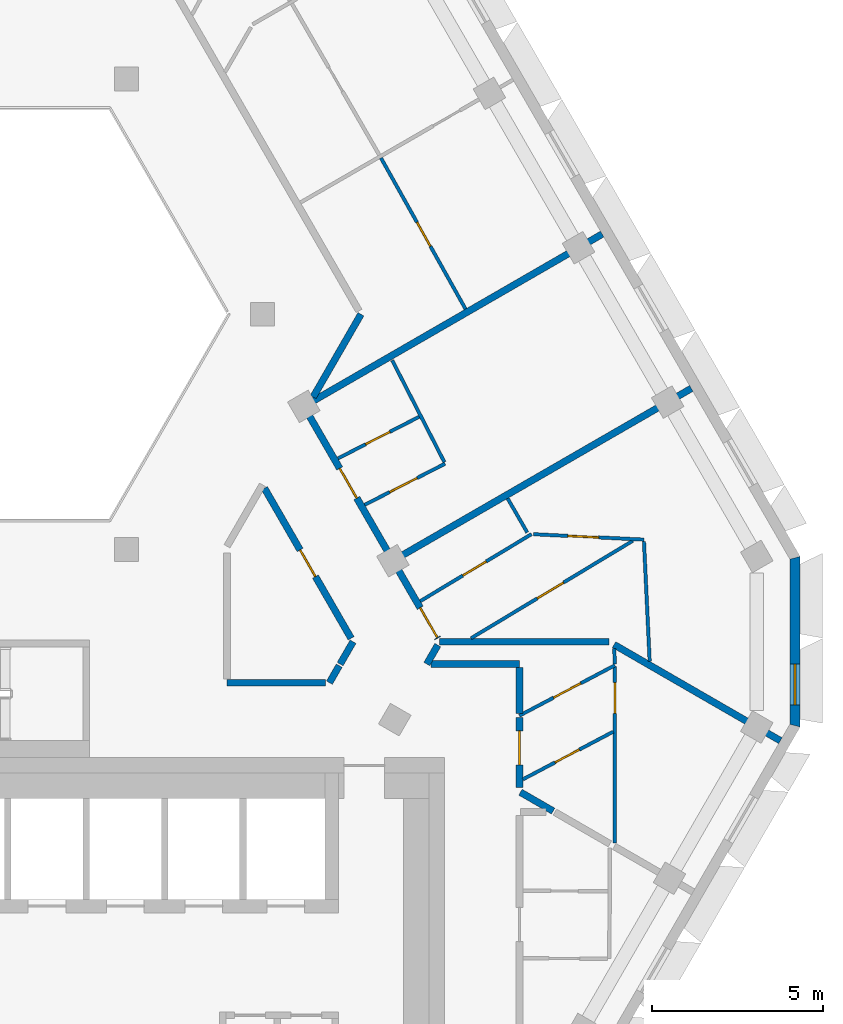
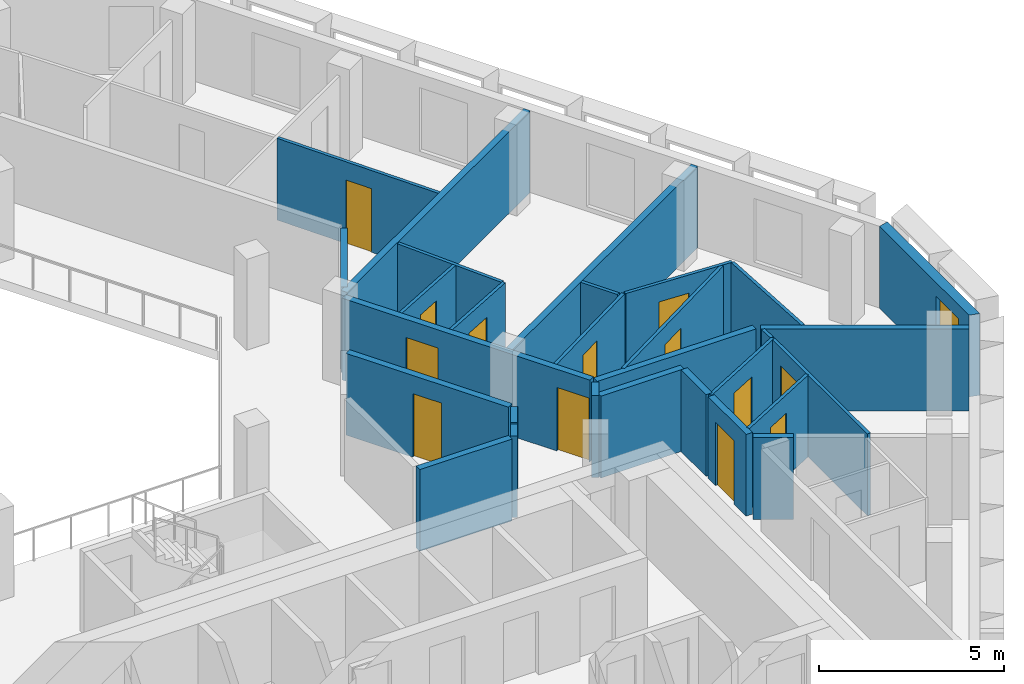
# One storey, part 6 of 15: 29 walls, 13 doors, 1 window, 14 openings.
"""IFC4 building model written with IfcOpenShell, lengths in metres."""

from ifc_helpers import new_model, si_unit, direction, frame, frame_2d, origin, place, context, subcontext, project, spatial, polyline, rectangle, outline, extrude, material, layer, layer_set, type_object, element, fill, save


model = new_model("IFC4")

# Units and contexts
model_context = context("Model", 3, precision=1e-05, world=origin(), true_north=direction((0.0, 1.0)))
body_context = subcontext(model_context, "Body", "Model", "MODEL_VIEW")
ifc_project = project(units=[si_unit("LENGTHUNIT", "METRE"), si_unit("AREAUNIT", "SQUARE_METRE"), si_unit("VOLUMEUNIT", "CUBIC_METRE"), si_unit("PLANEANGLEUNIT", "RADIAN"), si_unit("MASSUNIT", "GRAM", prefix="KILO")], contexts=[model_context])

# Site, building, storey
site_placement = place(None, origin())
site = spatial("IfcSite", under=ifc_project, at=site_placement, CompositionType="ELEMENT")
building_placement = place(site_placement, origin())
building = spatial("IfcBuilding", under=site, at=building_placement, Name="Beryl Residences", CompositionType="ELEMENT")
storey_placement = place(building_placement, frame((0.0, 0.0, 205.800048828125)))
storey = spatial("IfcBuildingStorey", under=building, at=storey_placement, Name="L63", CompositionType="ELEMENT", Elevation=205.800048828125)

# Wall, opening, window
ifc_material_1 = material(Name="Composite metal panel with mineral wool insulation")
ifc_layer_1 = layer(ifc_material_1, 0.300048828125)
ifc_layer_set_1 = layer_set([ifc_layer_1], Name="ES1 pale metal composite panel wall 300 mm")
wall_type_1 = type_object("IfcWallType", Name="ES1 pale metal composite panel wall 300 mm", PredefinedType="SOLIDWALL", material=ifc_layer_set_1)
wall_1_placement = place(storey_placement, frame((23.5791015625, -4.10009765625, 0.0), z_axis=(0.0, 0.0, 1.0), x_axis=(0.0, 1.0, 0.0)))
wall_1 = element("IfcWall", 1, at=wall_1_placement, inside=storey, type_object=wall_type_1, Name="ES1 external wall L63 SE-NE", PredefinedType="SOLIDWALL", context=body_context, shape_type="SweptSolid", body=[
    extrude(outline(polyline([(0.0, -0.14990234375), (5.0, -0.14990234375), (4.919677734375, 0.14990234375), (0.080322265625, 0.14990234375), (0.0, -0.14990234375)])), origin(), (0.0, 0.0, 1.0), 2.699951171875),
])
opening_1_placement = place(wall_1_placement, frame((0.64990234375, 0.0, 0.14990234375)))
opening_1 = element("IfcOpeningElement", 2, at=opening_1_placement, cuts=wall_1, Name="Opening W2", PredefinedType="OPENING", context=body_context, shape_type="SweptSolid", body=[
    extrude(rectangle(XDim=1.199951171875, YDim=2.10009765625, at=frame_2d((0.60009765625, 1.050048828125))), frame((0.0, 0.159912109375, 0.0), z_axis=(0.0, -1.0, 0.0), x_axis=(1.0, 0.0, 0.0)), (0.0, 0.0, 1.0), 0.320068359375),
])
ifc_material_2 = material(Name="Aluminium and clear glass", Category="aluminium")
window_type = type_object("IfcWindowType", Name="W2 chamfer window 1200 x 2100 mm", PartitioningType="SINGLE_PANEL", PredefinedType="WINDOW", material=ifc_material_2)
window_placement = place(opening_1_placement, origin())
window = element("IfcWindow", 3, at=window_placement, inside=storey, type_object=window_type, Name="W2 window L63 SE-NE 1", OverallHeight=2.10009765625, OverallWidth=1.199951171875, PartitioningType="SINGLE_PANEL", PredefinedType="WINDOW", context=body_context, shape_type="SweptSolid", body=[
    extrude(rectangle(XDim=1.199951171875, YDim=2.10009765625, at=frame_2d((0.60009765625, 1.050048828125))), frame((0.0, 0.030029296875, 0.0), z_axis=(0.0, -1.0, 0.0), x_axis=(1.0, 0.0, 0.0)), (0.0, 0.0, 1.0), 0.06005859375),
])
fill(opening_1, window)

# Wall
ifc_material_3 = material(Name="Gypsum board partition on steel studs", Category="steel")
ifc_layer_2 = layer(ifc_material_3, 0.10009765625)
ifc_layer_set_2 = layer_set([ifc_layer_2], Name="PT1 partition 100 mm gypsum board on steel studs")
wall_type_2 = type_object("IfcWallType", Name="PT1 partition 100 mm gypsum board on steel studs", PredefinedType="PARTITIONING", material=ifc_layer_set_2)
wall_2_placement = place(storey_placement, frame((15.154052734375, 2.60107421875, 0.0), z_axis=(0.0, 0.0, 1.0), x_axis=(0.499808046739, -0.866136199691, 0.0)))
element("IfcWall", 4, at=wall_2_placement, inside=storey, type_object=wall_type_2, Name="Wall PT1 L63 005", PredefinedType="PARTITIONING", context=body_context, shape_type="SweptSolid", body=[
    extrude(rectangle(XDim=1.15234375, YDim=0.10009765625, at=frame_2d((0.576171875, 0.0))), origin(), (0.0, 0.0, 1.0), 2.699951171875),
])

# Wall, opening, door
wall_3_placement = place(storey_placement, frame((11.44091796875, 12.58203125, 0.0), z_axis=(0.0, 0.0, 1.0), x_axis=(0.488568218554, -0.872525699231, 0.0)))
wall_3 = element("IfcWall", 5, at=wall_3_placement, inside=storey, type_object=wall_type_2, Name="Wall PT1 L63 008", PredefinedType="PARTITIONING", context=body_context, shape_type="SweptSolid", body=[
    extrude(rectangle(XDim=5.075927734375, YDim=0.10009765625, at=frame_2d((2.5380859375, 0.0))), origin(), (0.0, 0.0, 1.0), 2.699951171875),
])
opening_2_placement = place(wall_3_placement, frame((2.1630859375, 0.0, 0.0)))
opening_2 = element("IfcOpeningElement", 6, at=opening_2_placement, cuts=wall_3, Name="Opening D2108", PredefinedType="OPENING", context=body_context, shape_type="SweptSolid", body=[
    extrude(rectangle(XDim=0.800048828125, YDim=2.10009765625, at=frame_2d((0.39990234375, 1.050048828125))), frame((0.0, 0.06005859375, 0.0), z_axis=(0.0, -1.0, 0.0), x_axis=(1.0, 0.0, 0.0)), (0.0, 0.0, 1.0), 0.1201171875),
])
ifc_material_4 = material(Name="Timber door leaf", Category="wood")
door_type_1 = type_object("IfcDoorType", Name="D3 bathroom door 800 x 2100 mm", OperationType="SINGLE_SWING_LEFT", PredefinedType="DOOR", material=ifc_material_4)
door_1_placement = place(opening_2_placement, origin())
door_1 = element("IfcDoor", 7, at=door_1_placement, inside=storey, type_object=door_type_1, Name="Door D2108 L63 001", OperationType="SINGLE_SWING_RIGHT", OverallHeight=2.10009765625, OverallWidth=0.800048828125, PredefinedType="DOOR", context=body_context, shape_type="SweptSolid", body=[
    extrude(rectangle(XDim=0.800048828125, YDim=2.10009765625, at=frame_2d((0.39990234375, 1.050048828125))), frame((0.0, 0.02490234375, 0.0), z_axis=(0.0, -1.0, 0.0), x_axis=(1.0, 0.0, 0.0)), (0.0, 0.0, 1.0), 0.050048828125),
])
fill(opening_2, door_1)

# Walls
wall_4_placement = place(storey_placement, frame((11.77197265625, 6.64599609375, 0.0), z_axis=(0.0, 0.0, 1.0), x_axis=(0.456175983405, -0.889889584254, 0.0)))
element("IfcWall", 8, at=wall_4_placement, inside=storey, type_object=wall_type_2, Name="Wall PT1 L63 011", PredefinedType="PARTITIONING", context=body_context, shape_type="SweptSolid", body=[
    extrude(rectangle(XDim=3.34765625, YDim=0.10009765625, at=frame_2d((1.673828125, 0.0))), origin(), (0.0, 0.0, 1.0), 2.699951171875),
])
wall_5_placement = place(storey_placement, frame((18.280029296875, -1.803955078125, 0.0), z_axis=(0.0, 0.0, 1.0), x_axis=(0.039839036731, -0.999206110446, 0.0)))
element("IfcWall", 9, at=wall_5_placement, inside=storey, type_object=wall_type_2, Name="Wall PT1 L63 012", PredefinedType="PARTITIONING", context=body_context, shape_type="SweptSolid", body=[
    extrude(rectangle(XDim=0.453369140625, YDim=0.10009765625, at=frame_2d((0.2265625, 0.0))), origin(), (0.0, 0.0, 1.0), 2.699951171875),
])
wall_6_placement = place(storey_placement, frame((19.15087890625, 1.343017578125, 0.0), z_axis=(0.0, 0.0, 1.0), x_axis=(0.047509130714, -0.998870803707, 0.0)))
element("IfcWall", 10, at=wall_6_placement, inside=storey, type_object=wall_type_2, Name="Wall PT1 L63 013", PredefinedType="PARTITIONING", context=body_context, shape_type="SweptSolid", body=[
    extrude(rectangle(XDim=3.52001953125, YDim=0.10009765625, at=frame_2d((1.760009765625, 0.0))), origin(), (0.0, 0.0, 1.0), 2.699951171875),
])

# Wall, opening, door
wall_7_placement = place(storey_placement, frame((15.908935546875, 1.552001953125, 0.0), z_axis=(0.0, 0.0, 1.0), x_axis=(0.998799003463, -0.048995414909, 0.0)))
wall_7 = element("IfcWall", 11, at=wall_7_placement, inside=storey, type_object=wall_type_2, Name="Wall PT1 L63 017", PredefinedType="PARTITIONING", context=body_context, shape_type="SweptSolid", body=[
    extrude(rectangle(XDim=3.243896484375, YDim=0.10009765625, at=frame_2d((1.6220703125, 0.0))), origin(), (0.0, 0.0, 1.0), 2.699951171875),
])
opening_3_placement = place(wall_7_placement, frame((1.012939453125, 0.0, 0.0)))
opening_3 = element("IfcOpeningElement", 12, at=opening_3_placement, cuts=wall_7, Name="Opening D2140", PredefinedType="OPENING", context=body_context, shape_type="SweptSolid", body=[
    extrude(rectangle(XDim=0.89990234375, YDim=2.10009765625, at=frame_2d((0.449951171875, 1.050048828125))), frame((0.0, 0.06005859375, 0.0), z_axis=(0.0, -1.0, 0.0), x_axis=(1.0, 0.0, 0.0)), (0.0, 0.0, 1.0), 0.1201171875),
])
ifc_material_5 = material(Name="Timber door leaf", Category="wood")
door_type_2 = type_object("IfcDoorType", Name="D2 room door 900 x 2100 mm", OperationType="SINGLE_SWING_LEFT", PredefinedType="DOOR", material=ifc_material_5)
door_2_placement = place(opening_3_placement, origin())
door_2 = element("IfcDoor", 13, at=door_2_placement, inside=storey, type_object=door_type_2, Name="Door D2140 L63 001", OperationType="SINGLE_SWING_RIGHT", OverallHeight=2.10009765625, OverallWidth=0.89990234375, PredefinedType="DOOR", context=body_context, shape_type="SweptSolid", body=[
    extrude(rectangle(XDim=0.89990234375, YDim=2.10009765625, at=frame_2d((0.449951171875, 1.050048828125))), frame((0.0, 0.02490234375, 0.0), z_axis=(0.0, -1.0, 0.0), x_axis=(1.0, 0.0, 0.0)), (0.0, 0.0, 1.0), 0.050048828125),
])
fill(opening_3, door_2)

wall_8_placement = place(storey_placement, frame((18.300048828125, -7.49609375, 0.0), z_axis=(0.0, 0.0, 1.0), x_axis=(0.0, 1.0, 0.0)))
wall_8 = element("IfcWall", 14, at=wall_8_placement, inside=storey, type_object=wall_type_2, Name="Wall PT1 L63 038", PredefinedType="PARTITIONING", context=body_context, shape_type="SweptSolid", body=[
    extrude(rectangle(XDim=5.170166015625, YDim=0.10009765625, at=frame_2d((2.5849609375, 0.0))), origin(), (0.0, 0.0, 1.0), 2.699951171875),
])
opening_4_placement = place(wall_8_placement, frame((3.7939453125, 0.0, 0.0)))
opening_4 = element("IfcOpeningElement", 15, at=opening_4_placement, cuts=wall_8, Name="Opening D2136", PredefinedType="OPENING", context=body_context, shape_type="SweptSolid", body=[
    extrude(rectangle(XDim=0.89990234375, YDim=2.10009765625, at=frame_2d((0.449951171875, 1.050048828125))), frame((0.0, 0.06005859375, 0.0), z_axis=(0.0, -1.0, 0.0), x_axis=(1.0, 0.0, 0.0)), (0.0, 0.0, 1.0), 0.1201171875),
])
door_3_placement = place(opening_4_placement, origin())
door_3 = element("IfcDoor", 16, at=door_3_placement, inside=storey, type_object=door_type_2, Name="Door D2136 L63 001", OperationType="SINGLE_SWING_RIGHT", OverallHeight=2.10009765625, OverallWidth=0.89990234375, PredefinedType="DOOR", context=body_context, shape_type="SweptSolid", body=[
    extrude(rectangle(XDim=0.89990234375, YDim=2.10009765625, at=frame_2d((0.449951171875, 1.050048828125))), frame((0.0, 0.02490234375, 0.0), z_axis=(0.0, -1.0, 0.0), x_axis=(1.0, 0.0, 0.0)), (0.0, 0.0, 1.0), 0.050048828125),
])
fill(opening_4, door_3)

wall_9_placement = place(storey_placement, frame((10.177978515625, 3.77197265625, 0.0), z_axis=(0.0, 0.0, 1.0), x_axis=(0.889732071959, 0.456483121405, 0.0)))
wall_9 = element("IfcWall", 17, at=wall_9_placement, inside=storey, type_object=wall_type_2, Name="Wall PT1 L63 042", PredefinedType="PARTITIONING", context=body_context, shape_type="SweptSolid", body=[
    extrude(rectangle(XDim=2.679443359375, YDim=0.10009765625, at=frame_2d((1.33984375, 0.0))), origin(), (0.0, 0.0, 1.0), 2.699951171875),
])
opening_5_placement = place(wall_9_placement, frame((0.9150390625, 0.0, 0.0)))
opening_5 = element("IfcOpeningElement", 18, at=opening_5_placement, cuts=wall_9, Name="Opening D2143", PredefinedType="OPENING", context=body_context, shape_type="SweptSolid", body=[
    extrude(rectangle(XDim=0.800048828125, YDim=2.10009765625, at=frame_2d((0.39990234375, 1.050048828125))), frame((0.0, 0.06005859375, 0.0), z_axis=(0.0, -1.0, 0.0), x_axis=(1.0, 0.0, 0.0)), (0.0, 0.0, 1.0), 0.1201171875),
])
door_4_placement = place(opening_5_placement, origin())
door_4 = element("IfcDoor", 19, at=door_4_placement, inside=storey, type_object=door_type_1, Name="Door D2143 L63 001", OperationType="SINGLE_SWING_LEFT", OverallHeight=2.10009765625, OverallWidth=0.800048828125, PredefinedType="DOOR", context=body_context, shape_type="SweptSolid", body=[
    extrude(rectangle(XDim=0.800048828125, YDim=2.10009765625, at=frame_2d((0.39990234375, 1.050048828125))), frame((0.0, 0.02490234375, 0.0), z_axis=(0.0, -1.0, 0.0), x_axis=(1.0, 0.0, 0.0)), (0.0, 0.0, 1.0), 0.050048828125),
])
fill(opening_5, door_4)

wall_10_placement = place(storey_placement, frame((10.962890625, 2.412109375, 0.0), z_axis=(0.0, 0.0, 1.0), x_axis=(0.889943997558, 0.456069820543, 0.0)))
wall_10 = element("IfcWall", 20, at=wall_10_placement, inside=storey, type_object=wall_type_2, Name="Wall PT1 L63 043", PredefinedType="PARTITIONING", context=body_context, shape_type="SweptSolid", body=[
    extrude(rectangle(XDim=2.65087890625, YDim=0.10009765625, at=frame_2d((1.325439453125, 0.0))), origin(), (0.0, 0.0, 1.0), 2.699951171875),
])
opening_6_placement = place(wall_10_placement, frame((0.825927734375, 0.0, 0.0)))
opening_6 = element("IfcOpeningElement", 21, at=opening_6_placement, cuts=wall_10, Name="Opening D2142", PredefinedType="OPENING", context=body_context, shape_type="SweptSolid", body=[
    extrude(rectangle(XDim=0.89990234375, YDim=2.10009765625, at=frame_2d((0.449951171875, 1.050048828125))), frame((0.0, 0.06005859375, 0.0), z_axis=(0.0, -1.0, 0.0), x_axis=(1.0, 0.0, 0.0)), (0.0, 0.0, 1.0), 0.1201171875),
])
door_5_placement = place(opening_6_placement, origin())
door_5 = element("IfcDoor", 22, at=door_5_placement, inside=storey, type_object=door_type_2, Name="Door D2142 L63 001", OperationType="SINGLE_SWING_RIGHT", OverallHeight=2.10009765625, OverallWidth=0.89990234375, PredefinedType="DOOR", context=body_context, shape_type="SweptSolid", body=[
    extrude(rectangle(XDim=0.89990234375, YDim=2.10009765625, at=frame_2d((0.449951171875, 1.050048828125))), frame((0.0, 0.02490234375, 0.0), z_axis=(0.0, -1.0, 0.0), x_axis=(1.0, 0.0, 0.0)), (0.0, 0.0, 1.0), 0.050048828125),
])
fill(opening_6, door_5)

wall_11_placement = place(storey_placement, frame((15.5, -3.76708984375, 0.0), z_axis=(0.0, 0.0, 1.0), x_axis=(0.884482889541, 0.466572628976, 0.0)))
wall_11 = element("IfcWall", 23, at=wall_11_placement, inside=storey, type_object=wall_type_2, Name="Wall PT1 L63 044", PredefinedType="PARTITIONING", context=body_context, shape_type="SweptSolid", body=[
    extrude(rectangle(XDim=3.165771484375, YDim=0.10009765625, at=frame_2d((1.5830078125, 0.0))), origin(), (0.0, 0.0, 1.0), 2.699951171875),
])
opening_7_placement = place(wall_11_placement, frame((1.133056640625, 0.0, 0.0)))
opening_7 = element("IfcOpeningElement", 24, at=opening_7_placement, cuts=wall_11, Name="Opening D2135", PredefinedType="OPENING", context=body_context, shape_type="SweptSolid", body=[
    extrude(rectangle(XDim=0.89990234375, YDim=2.10009765625, at=frame_2d((0.449951171875, 1.050048828125))), frame((0.0, 0.06005859375, 0.0), z_axis=(0.0, -1.0, 0.0), x_axis=(1.0, 0.0, 0.0)), (0.0, 0.0, 1.0), 0.1201171875),
])
door_6_placement = place(opening_7_placement, origin())
door_6 = element("IfcDoor", 25, at=door_6_placement, inside=storey, type_object=door_type_2, Name="Door D2135 L63 001", OperationType="SINGLE_SWING_LEFT", OverallHeight=2.10009765625, OverallWidth=0.89990234375, PredefinedType="DOOR", context=body_context, shape_type="SweptSolid", body=[
    extrude(rectangle(XDim=0.89990234375, YDim=2.10009765625, at=frame_2d((0.449951171875, 1.050048828125))), frame((0.0, 0.02490234375, 0.0), z_axis=(0.0, -1.0, 0.0), x_axis=(1.0, 0.0, 0.0)), (0.0, 0.0, 1.0), 0.050048828125),
])
fill(opening_7, door_6)

wall_12_placement = place(storey_placement, frame((15.60009765625, -5.635986328125, 0.0), z_axis=(0.0, 0.0, 1.0), x_axis=(0.884468832747, 0.466599275503, 0.0)))
wall_12 = element("IfcWall", 26, at=wall_12_placement, inside=storey, type_object=wall_type_2, Name="Wall PT1 L63 045", PredefinedType="PARTITIONING", context=body_context, shape_type="SweptSolid", body=[
    extrude(rectangle(XDim=2.99609375, YDim=0.10009765625, at=frame_2d((1.498046875, 0.0))), origin(), (0.0, 0.0, 1.0), 2.699951171875),
])
opening_8_placement = place(wall_12_placement, frame((1.070068359375, 0.0, 0.0)))
opening_8 = element("IfcOpeningElement", 27, at=opening_8_placement, cuts=wall_12, Name="Opening D2134", PredefinedType="OPENING", context=body_context, shape_type="SweptSolid", body=[
    extrude(rectangle(XDim=0.800048828125, YDim=2.10009765625, at=frame_2d((0.39990234375, 1.050048828125))), frame((0.0, 0.06005859375, 0.0), z_axis=(0.0, -1.0, 0.0), x_axis=(1.0, 0.0, 0.0)), (0.0, 0.0, 1.0), 0.1201171875),
])
door_7_placement = place(opening_8_placement, origin())
door_7 = element("IfcDoor", 28, at=door_7_placement, inside=storey, type_object=door_type_1, Name="Door D2134 L63 001", OperationType="SINGLE_SWING_RIGHT", OverallHeight=2.10009765625, OverallWidth=0.800048828125, PredefinedType="DOOR", context=body_context, shape_type="SweptSolid", body=[
    extrude(rectangle(XDim=0.800048828125, YDim=2.10009765625, at=frame_2d((0.39990234375, 1.050048828125))), frame((0.0, 0.02490234375, 0.0), z_axis=(0.0, -1.0, 0.0), x_axis=(1.0, 0.0, 0.0)), (0.0, 0.0, 1.0), 0.050048828125),
])
fill(opening_8, door_7)

wall_13_placement = place(storey_placement, frame((12.593017578125, -0.410888671875, 0.0), z_axis=(0.0, 0.0, 1.0), x_axis=(0.856558445359, 0.516050026339, 0.0)))
wall_13 = element("IfcWall", 29, at=wall_13_placement, inside=storey, type_object=wall_type_2, Name="Wall PT1 L63 051", PredefinedType="PARTITIONING", context=body_context, shape_type="SweptSolid", body=[
    extrude(rectangle(XDim=3.809326171875, YDim=0.10009765625, at=frame_2d((1.90478515625, 0.0))), origin(), (0.0, 0.0, 1.0), 2.699951171875),
])
opening_9_placement = place(wall_13_placement, frame((1.455078125, 0.0, 0.0)))
opening_9 = element("IfcOpeningElement", 30, at=opening_9_placement, cuts=wall_13, Name="Opening D2139", PredefinedType="OPENING", context=body_context, shape_type="SweptSolid", body=[
    extrude(rectangle(XDim=0.800048828125, YDim=2.10009765625, at=frame_2d((0.39990234375, 1.050048828125))), frame((0.0, 0.06005859375, 0.0), z_axis=(0.0, -1.0, 0.0), x_axis=(1.0, 0.0, 0.0)), (0.0, 0.0, 1.0), 0.1201171875),
])
door_8_placement = place(opening_9_placement, origin())
door_8 = element("IfcDoor", 31, at=door_8_placement, inside=storey, type_object=door_type_1, Name="Door D2139 L63 001", OperationType="SINGLE_SWING_LEFT", OverallHeight=2.10009765625, OverallWidth=0.800048828125, PredefinedType="DOOR", context=body_context, shape_type="SweptSolid", body=[
    extrude(rectangle(XDim=0.800048828125, YDim=2.10009765625, at=frame_2d((0.39990234375, 1.050048828125))), frame((0.0, 0.02490234375, 0.0), z_axis=(0.0, -1.0, 0.0), x_axis=(1.0, 0.0, 0.0)), (0.0, 0.0, 1.0), 0.050048828125),
])
fill(opening_9, door_8)

wall_14_placement = place(storey_placement, frame((14.0810546875, -1.4990234375, 0.0), z_axis=(0.0, 0.0, 1.0), x_axis=(0.85652273816, 0.516109289798, 0.0)))
wall_14 = element("IfcWall", 32, at=wall_14_placement, inside=storey, type_object=wall_type_2, Name="Wall PT1 L63 052", PredefinedType="PARTITIONING", context=body_context, shape_type="SweptSolid", body=[
    extrude(rectangle(XDim=5.537353515625, YDim=0.10009765625, at=frame_2d((2.7685546875, 0.0))), origin(), (0.0, 0.0, 1.0), 2.699951171875),
])
opening_10_placement = place(wall_14_placement, frame((2.26708984375, 0.0, 0.0)))
opening_10 = element("IfcOpeningElement", 33, at=opening_10_placement, cuts=wall_14, Name="Opening D2138", PredefinedType="OPENING", context=body_context, shape_type="SweptSolid", body=[
    extrude(rectangle(XDim=0.89990234375, YDim=2.10009765625, at=frame_2d((0.449951171875, 1.050048828125))), frame((0.0, 0.06005859375, 0.0), z_axis=(0.0, -1.0, 0.0), x_axis=(1.0, 0.0, 0.0)), (0.0, 0.0, 1.0), 0.1201171875),
])
door_9_placement = place(opening_10_placement, origin())
door_9 = element("IfcDoor", 34, at=door_9_placement, inside=storey, type_object=door_type_2, Name="Door D2138 L63 001", OperationType="SINGLE_SWING_RIGHT", OverallHeight=2.10009765625, OverallWidth=0.89990234375, PredefinedType="DOOR", context=body_context, shape_type="SweptSolid", body=[
    extrude(rectangle(XDim=0.89990234375, YDim=2.10009765625, at=frame_2d((0.449951171875, 1.050048828125))), frame((0.0, 0.02490234375, 0.0), z_axis=(0.0, -1.0, 0.0), x_axis=(1.0, 0.0, 0.0)), (0.0, 0.0, 1.0), 0.050048828125),
])
fill(opening_10, door_9)

# Walls
ifc_material_6 = material(Name="Acoustic double stud gypsum board wall")
ifc_layer_3 = layer(ifc_material_6, 0.199951171875)
ifc_layer_set_3 = layer_set([ifc_layer_3], Name="PT3 party wall 200 mm acoustic double stud")
wall_type_3 = type_object("IfcWallType", Name="PT3 party wall 200 mm acoustic double stud", PredefinedType="PARTITIONING", material=ifc_layer_set_3)
wall_15_placement = place(storey_placement, frame((18.27490234375, -1.68603515625, 0.0), z_axis=(0.0, 0.0, 1.0), x_axis=(0.866041167766, -0.49997269499, 0.0)))
element("IfcWall", 35, at=wall_15_placement, inside=storey, type_object=wall_type_3, Name="Wall PT3 L63 006", PredefinedType="PARTITIONING", context=body_context, shape_type="SweptSolid", body=[
    extrude(rectangle(XDim=5.630126953125, YDim=0.199951171875, at=frame_2d((2.81494140625, 0.0))), origin(), (0.0, 0.0, 1.0), 2.699951171875),
])
wall_16_placement = place(storey_placement, frame((15.530029296875, -6.011962890625, 0.0), z_axis=(0.0, 0.0, 1.0), x_axis=(0.866075331272, -0.499913513082, 0.0)))
element("IfcWall", 36, at=wall_16_placement, inside=storey, type_object=wall_type_3, Name="Wall PT3 L63 007", PredefinedType="PARTITIONING", context=body_context, shape_type="SweptSolid", body=[
    extrude(rectangle(XDim=1.106201171875, YDim=0.199951171875, at=frame_2d((0.55322265625, 0.0))), origin(), (0.0, 0.0, 1.0), 2.699951171875),
])
wall_17_placement = place(storey_placement, frame((13.1630859375, -1.59912109375, 0.0), z_axis=(0.0, 0.0, 1.0), x_axis=(1.0, 0.0, 0.0)))
element("IfcWall", 37, at=wall_17_placement, inside=storey, type_object=wall_type_3, Name="Wall PT3 L63 012", PredefinedType="PARTITIONING", context=body_context, shape_type="SweptSolid", body=[
    extrude(rectangle(XDim=4.9619140625, YDim=0.199951171875, at=frame_2d((2.48095703125, 0.0))), origin(), (0.0, 0.0, 1.0), 2.699951171875),
])
wall_18_placement = place(storey_placement, frame((11.87890625, 0.825927734375, 0.0), z_axis=(0.0, 0.0, 1.0), x_axis=(0.866065245018, 0.499930986609, 0.0)))
element("IfcWall", 38, at=wall_18_placement, inside=storey, type_object=wall_type_3, Name="Wall PT3 L63 016", PredefinedType="PARTITIONING", context=body_context, shape_type="SweptSolid", body=[
    extrude(rectangle(XDim=9.99951171875, YDim=0.199951171875, at=frame_2d((4.999755859375, 0.0))), origin(), (0.0, 0.0, 1.0), 2.699951171875),
])
wall_19_placement = place(storey_placement, frame((9.35400390625, 5.40087890625, 0.0), z_axis=(0.0, 0.0, 1.0), x_axis=(0.866018411306, 0.500012111133, 0.0)))
element("IfcWall", 39, at=wall_19_placement, inside=storey, type_object=wall_type_3, Name="Wall PT3 L63 017", PredefinedType="PARTITIONING", context=body_context, shape_type="SweptSolid", body=[
    extrude(rectangle(XDim=9.898193359375, YDim=0.199951171875, at=frame_2d((4.94921875, 0.0))), origin(), (0.0, 0.0, 1.0), 2.699951171875),
])

# Wall, opening, door
ifc_material_7 = material(Name="Double stud gypsum board wall")
ifc_layer_4 = layer(ifc_material_7, 0.199951171875)
ifc_layer_set_4 = layer_set([ifc_layer_4], Name="PT4 corridor wall 200 mm double stud")
wall_type_4 = type_object("IfcWallType", Name="PT4 corridor wall 200 mm double stud", PredefinedType="PARTITIONING", material=ifc_layer_set_4)
wall_20_placement = place(storey_placement, frame((8.02587890625, 2.89892578125, 0.0), z_axis=(0.0, 0.0, 1.0), x_axis=(0.499986018985, -0.866033475577, 0.0)))
wall_20 = element("IfcWall", 40, at=wall_20_placement, inside=storey, type_object=wall_type_4, Name="Wall PT4 L63 005", PredefinedType="PARTITIONING", context=body_context, shape_type="SweptSolid", body=[
    extrude(rectangle(XDim=5.078369140625, YDim=0.199951171875, at=frame_2d((2.5390625, 0.0))), origin(), (0.0, 0.0, 1.0), 2.699951171875),
])
opening_11_placement = place(wall_20_placement, frame((2.089111328125, 0.0, 0.0)))
opening_11 = element("IfcOpeningElement", 41, at=opening_11_placement, cuts=wall_20, Name="Opening D2145", PredefinedType="OPENING", context=body_context, shape_type="SweptSolid", body=[
    extrude(rectangle(XDim=0.89990234375, YDim=2.10009765625, at=frame_2d((0.449951171875, 1.050048828125))), frame((0.0, 0.10986328125, 0.0), z_axis=(0.0, -1.0, 0.0), x_axis=(1.0, 0.0, 0.0)), (0.0, 0.0, 1.0), 0.219970703125),
])
door_10_placement = place(opening_11_placement, origin())
door_10 = element("IfcDoor", 42, at=door_10_placement, inside=storey, type_object=door_type_2, Name="Door D2145 L63 001", OperationType="SINGLE_SWING_LEFT", OverallHeight=2.10009765625, OverallWidth=0.89990234375, PredefinedType="DOOR", context=body_context, shape_type="SweptSolid", body=[
    extrude(rectangle(XDim=0.89990234375, YDim=2.10009765625, at=frame_2d((0.449951171875, 1.050048828125))), frame((0.0, 0.02490234375, 0.0), z_axis=(0.0, -1.0, 0.0), x_axis=(1.0, 0.0, 0.0)), (0.0, 0.0, 1.0), 0.050048828125),
])
fill(opening_11, door_10)

# Wall, openings, doors
wall_21_placement = place(storey_placement, frame((9.238037109375, 5.199951171875, 0.0), z_axis=(0.0, 0.0, 1.0), x_axis=(0.500025705601, -0.86601056214, 0.0)))
wall_21 = element("IfcWall", 43, at=wall_21_placement, inside=storey, type_object=wall_type_4, Name="Wall PT4 L63 006", PredefinedType="PARTITIONING", context=body_context, shape_type="SweptSolid", body=[
    extrude(rectangle(XDim=7.7353515625, YDim=0.199951171875, at=frame_2d((3.86767578125, 0.0))), origin(), (0.0, 0.0, 1.0), 2.699951171875),
])
opening_12_placement = place(wall_21_placement, frame((6.705078125, 0.0, 0.0)))
opening_12 = element("IfcOpeningElement", 44, at=opening_12_placement, cuts=wall_21, Name="Opening D2137", PredefinedType="OPENING", context=body_context, shape_type="SweptSolid", body=[
    extrude(rectangle(XDim=1.0, YDim=2.10009765625, at=frame_2d((0.5, 1.050048828125))), frame((0.0, 0.10986328125, 0.0), z_axis=(0.0, -1.0, 0.0), x_axis=(1.0, 0.0, 0.0)), (0.0, 0.0, 1.0), 0.219970703125),
])
opening_13_placement = place(wall_21_placement, frame((1.988037109375, 0.0, 0.0)))
opening_13 = element("IfcOpeningElement", 45, at=opening_13_placement, cuts=wall_21, Name="Opening D2141", PredefinedType="OPENING", context=body_context, shape_type="SweptSolid", body=[
    extrude(rectangle(XDim=1.0, YDim=2.10009765625, at=frame_2d((0.5, 1.050048828125))), frame((0.0, 0.10986328125, 0.0), z_axis=(0.0, -1.0, 0.0), x_axis=(1.0, 0.0, 0.0)), (0.0, 0.0, 1.0), 0.219970703125),
])
ifc_material_8 = material(Name="Timber door leaf", Category="wood")
door_type_3 = type_object("IfcDoorType", Name="D1 flat entrance door 1000 x 2100 mm", OperationType="SINGLE_SWING_LEFT", PredefinedType="DOOR", material=ifc_material_8)
door_11_placement = place(opening_12_placement, origin())
door_11 = element("IfcDoor", 46, at=door_11_placement, inside=storey, type_object=door_type_3, Name="Door D2137 L63 001", OperationType="SINGLE_SWING_LEFT", OverallHeight=2.10009765625, OverallWidth=1.0, PredefinedType="DOOR", context=body_context, shape_type="SweptSolid", body=[
    extrude(rectangle(XDim=1.0, YDim=2.10009765625, at=frame_2d((0.5, 1.050048828125))), frame((0.0, 0.02490234375, 0.0), z_axis=(0.0, -1.0, 0.0), x_axis=(1.0, 0.0, 0.0)), (0.0, 0.0, 1.0), 0.050048828125),
])
fill(opening_12, door_11)
door_12_placement = place(opening_13_placement, origin())
door_12 = element("IfcDoor", 47, at=door_12_placement, inside=storey, type_object=door_type_3, Name="Door D2141 L63 001", OperationType="SINGLE_SWING_LEFT", OverallHeight=2.10009765625, OverallWidth=1.0, PredefinedType="DOOR", context=body_context, shape_type="SweptSolid", body=[
    extrude(rectangle(XDim=1.0, YDim=2.10009765625, at=frame_2d((0.5, 1.050048828125))), frame((0.0, 0.02490234375, 0.0), z_axis=(0.0, -1.0, 0.0), x_axis=(1.0, 0.0, 0.0)), (0.0, 0.0, 1.0), 0.050048828125),
])
fill(opening_13, door_12)

# Walls
wall_22_placement = place(storey_placement, frame((15.5, -2.35595703125, 0.0), z_axis=(0.0, 0.0, 1.0), x_axis=(0.0, -1.0, 0.0)))
element("IfcWall", 48, at=wall_22_placement, inside=storey, type_object=wall_type_4, Name="Wall PT4 L63 010", PredefinedType="PARTITIONING", context=body_context, shape_type="SweptSolid", body=[
    extrude(rectangle(XDim=1.35400390625, YDim=0.199951171875, at=frame_2d((0.677001953125, 0.0))), origin(), (0.0, 0.0, 1.0), 2.699951171875),
])
wall_23_placement = place(storey_placement, frame((12.902099609375, -2.256103515625, 0.0), z_axis=(0.0, 0.0, 1.0), x_axis=(1.0, 0.0, 0.0)))
element("IfcWall", 49, at=wall_23_placement, inside=storey, type_object=wall_type_4, Name="Wall PT4 L63 013", PredefinedType="PARTITIONING", context=body_context, shape_type="SweptSolid", body=[
    extrude(rectangle(XDim=2.597900390625, YDim=0.199951171875, at=frame_2d((1.298828125, 0.0))), origin(), (0.0, 0.0, 1.0), 2.699951171875),
])
wall_24_placement = place(storey_placement, frame((6.928955078125, -2.800048828125, 0.0), z_axis=(0.0, 0.0, 1.0), x_axis=(1.0, 0.0, 0.0)))
element("IfcWall", 50, at=wall_24_placement, inside=storey, type_object=wall_type_4, Name="Wall PT4 L63 016", PredefinedType="PARTITIONING", context=body_context, shape_type="SweptSolid", body=[
    extrude(rectangle(XDim=2.885009765625, YDim=0.199951171875, at=frame_2d((1.4423828125, 0.0))), origin(), (0.0, 0.0, 1.0), 2.699951171875),
])
wall_25_placement = place(storey_placement, frame((9.4541015625, 5.573974609375, 0.0), z_axis=(0.0, 0.0, 1.0), x_axis=(0.499795394297, 0.86614350072, 0.0)))
element("IfcWall", 51, at=wall_25_placement, inside=storey, type_object=wall_type_4, Name="Wall PT4 L63 019", PredefinedType="PARTITIONING", context=body_context, shape_type="SweptSolid", body=[
    extrude(rectangle(XDim=2.801025390625, YDim=0.199951171875, at=frame_2d((1.400390625, 0.0))), origin(), (0.0, 0.0, 1.0), 2.699951171875),
])
wall_26_placement = place(storey_placement, frame((9.929931640625, -2.800048828125, 0.0), z_axis=(0.0, 0.0, 1.0), x_axis=(0.500164219654, 0.865930570761, 0.0)))
element("IfcWall", 52, at=wall_26_placement, inside=storey, type_object=wall_type_4, Name="Wall PT4 L63 020", PredefinedType="PARTITIONING", context=body_context, shape_type="SweptSolid", body=[
    extrude(rectangle(XDim=0.573974609375, YDim=0.199951171875, at=frame_2d((0.287109375, 0.0))), origin(), (0.0, 0.0, 1.0), 2.699951171875),
])
wall_27_placement = place(storey_placement, frame((10.243896484375, -2.2548828125, 0.0), z_axis=(0.0, 0.0, 1.0), x_axis=(0.50109986513, 0.865389464442, 0.0)))
element("IfcWall", 53, at=wall_27_placement, inside=storey, type_object=wall_type_4, Name="Wall PT4 L63 021", PredefinedType="PARTITIONING", context=body_context, shape_type="SweptSolid", body=[
    extrude(rectangle(XDim=0.756591796875, YDim=0.199951171875, at=frame_2d((0.37841796875, 0.0))), origin(), (0.0, 0.0, 1.0), 2.699951171875),
])
wall_28_placement = place(storey_placement, frame((12.784912109375, -2.25390625, 0.0), z_axis=(0.0, 0.0, 1.0), x_axis=(0.500766044352, 0.865582675903, 0.0)))
element("IfcWall", 54, at=wall_28_placement, inside=storey, type_object=wall_type_4, Name="Wall PT4 L63 022", PredefinedType="PARTITIONING", context=body_context, shape_type="SweptSolid", body=[
    extrude(rectangle(XDim=0.64111328125, YDim=0.199951171875, at=frame_2d((0.320556640625, 0.0))), origin(), (0.0, 0.0, 1.0), 2.699951171875),
])

# Wall, opening, door
wall_29_placement = place(storey_placement, frame((15.5, -5.87890625, 0.0), z_axis=(0.0, 0.0, 1.0), x_axis=(0.0, 1.0, 0.0)))
wall_29 = element("IfcWall", 55, at=wall_29_placement, inside=storey, type_object=wall_type_4, Name="Wall PT4 L63 027", PredefinedType="PARTITIONING", context=body_context, shape_type="SweptSolid", body=[
    extrude(rectangle(XDim=2.055908203125, YDim=0.199951171875, at=frame_2d((1.02783203125, 0.0))), origin(), (0.0, 0.0, 1.0), 2.699951171875),
])
opening_14_placement = place(wall_29_placement, frame((0.66796875, 0.0, 0.0)))
opening_14 = element("IfcOpeningElement", 56, at=opening_14_placement, cuts=wall_29, Name="Opening D2133", PredefinedType="OPENING", context=body_context, shape_type="SweptSolid", body=[
    extrude(rectangle(XDim=1.0, YDim=2.10009765625, at=frame_2d((0.5, 1.050048828125))), frame((0.0, 0.10986328125, 0.0), z_axis=(0.0, -1.0, 0.0), x_axis=(1.0, 0.0, 0.0)), (0.0, 0.0, 1.0), 0.219970703125),
])
door_13_placement = place(opening_14_placement, origin())
door_13 = element("IfcDoor", 57, at=door_13_placement, inside=storey, type_object=door_type_3, Name="Door D2133 L63 001", OperationType="SINGLE_SWING_LEFT", OverallHeight=2.10009765625, OverallWidth=1.0, PredefinedType="DOOR", context=body_context, shape_type="SweptSolid", body=[
    extrude(rectangle(XDim=1.0, YDim=2.10009765625, at=frame_2d((0.5, 1.050048828125))), frame((0.0, 0.02490234375, 0.0), z_axis=(0.0, -1.0, 0.0), x_axis=(1.0, 0.0, 0.0)), (0.0, 0.0, 1.0), 0.050048828125),
])
fill(opening_14, door_13)

save(model, "model.ifc")
